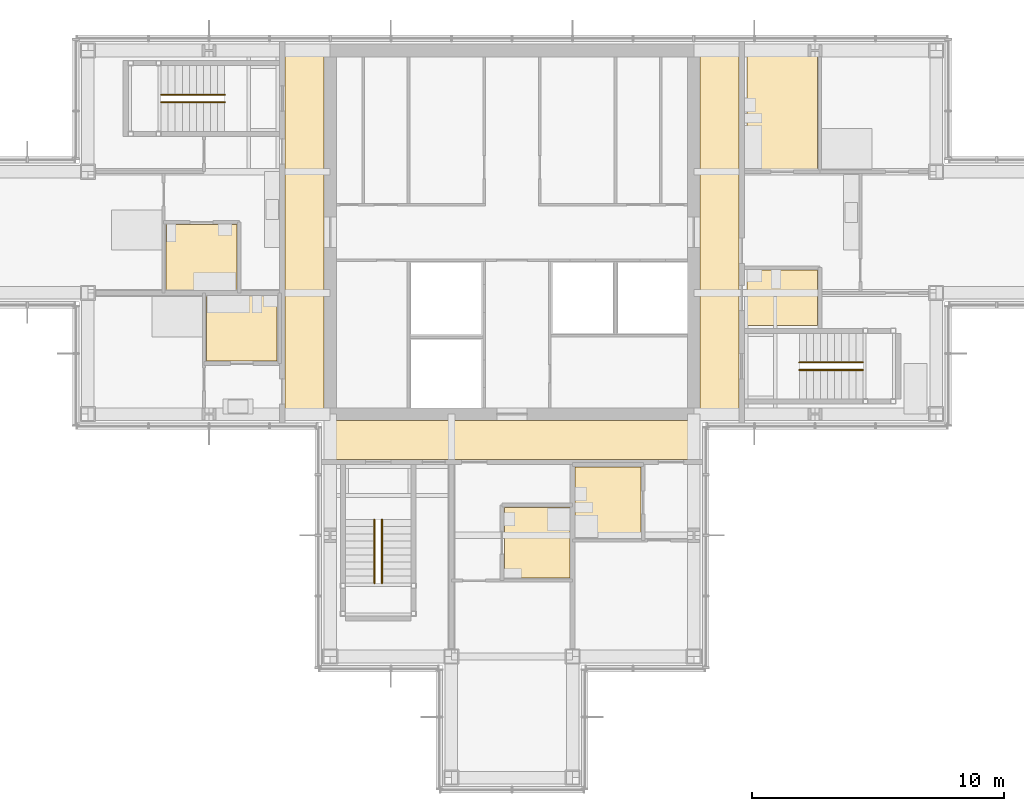
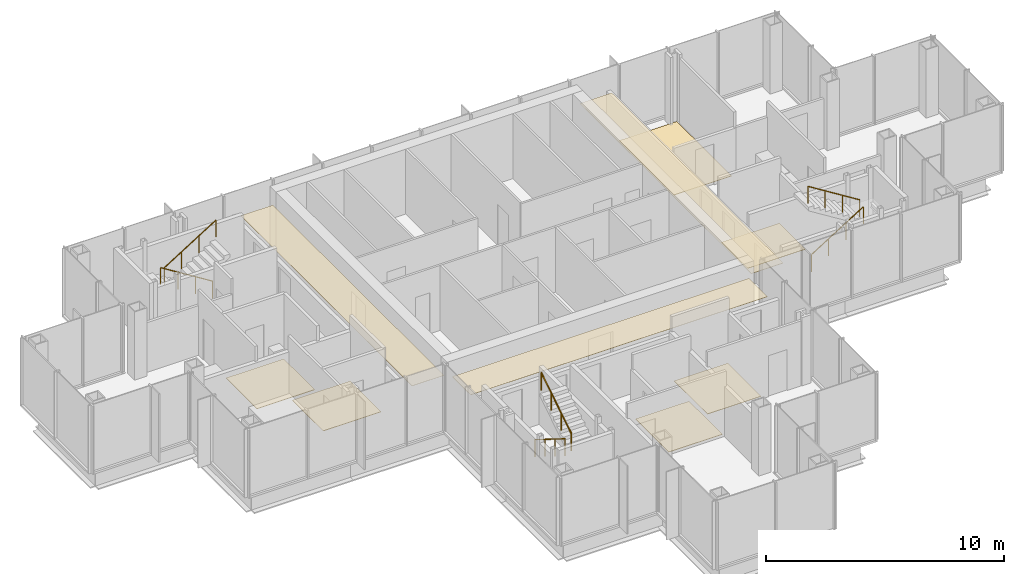
# One storey, part 13 of 15: 9 coverings, 6 railings.
"""IFC4 building model written with IfcOpenShell, lengths in metres."""

from ifc_helpers import new_model, si_unit, direction, frame, origin, origin_2d, place, context, subcontext, project, spatial, polyline, circle, outline, extrude, material, layer, layer_set, type_object, element, save


model = new_model("IFC4")

# Units and contexts
model_context = context("Model", 3, precision=1e-05, world=origin(), true_north=direction((0.0, 1.0)))
body_context = subcontext(model_context, "Body", "Model", "MODEL_VIEW")
ifc_project = project(units=[si_unit("LENGTHUNIT", "METRE"), si_unit("AREAUNIT", "SQUARE_METRE"), si_unit("VOLUMEUNIT", "CUBIC_METRE"), si_unit("PLANEANGLEUNIT", "RADIAN"), si_unit("MASSUNIT", "GRAM", prefix="KILO")], contexts=[model_context])

# Site, building, storey
site_placement = place(None, origin())
site = spatial("IfcSite", under=ifc_project, at=site_placement, CompositionType="ELEMENT")
building_placement = place(site_placement, origin())
building = spatial("IfcBuilding", under=site, at=building_placement, Name="Kvirike Care Tower", CompositionType="ELEMENT")
storey_placement = place(building_placement, frame((0.0, 0.0, 205.0)))
storey = spatial("IfcBuildingStorey", under=building, at=storey_placement, Name="L56", CompositionType="ELEMENT", Elevation=205.0)

# Coverings
ifc_material_1 = material(Name="Perforated metal ceiling tile", Category="aluminium")
ifc_layer_1 = layer(ifc_material_1, 0.014892578125)
ifc_layer_set_1 = layer_set([ifc_layer_1], Name="CORRIDOR CEILING 15")
covering_type_1 = type_object("IfcCoveringType", Name="CORRIDOR CEILING 15", PredefinedType="CEILING", material=ifc_layer_set_1)
covering_1_placement = place(storey_placement, frame((0.0, 0.0, 2.5)))
element("IfcCovering", 1, at=covering_1_placement, inside=storey, type_object=covering_type_1, Name="Corridor ceiling L56", PredefinedType="CEILING", context=body_context, shape_type="SweptSolid", body=[
    extrude(outline(polyline([(12.60009765625, 43.199951171875), (14.14990234375, 43.199951171875), (14.14990234375, 28.800048828125), (12.60009765625, 28.800048828125), (12.60009765625, 43.199951171875)])), origin(), (0.0, 0.0, 1.0), 0.014892578125),
])
covering_2_placement = place(storey_placement, frame((0.0, 0.0, 2.5)))
element("IfcCovering", 2, at=covering_2_placement, inside=storey, type_object=covering_type_1, Name="Corridor ceiling L56", PredefinedType="CEILING", context=body_context, shape_type="SweptSolid", body=[
    extrude(outline(polyline([(14.39990234375, 27.0), (14.39990234375, 28.550048828125), (28.800048828125, 28.550048828125), (28.800048828125, 27.0), (14.39990234375, 27.0)])), origin(), (0.0, 0.0, 1.0), 0.014892578125),
])
covering_3_placement = place(storey_placement, frame((0.0, 0.0, 2.5)))
element("IfcCovering", 3, at=covering_3_placement, inside=storey, type_object=covering_type_1, Name="Corridor ceiling L56", PredefinedType="CEILING", context=body_context, shape_type="SweptSolid", body=[
    extrude(outline(polyline([(30.60009765625, 28.800048828125), (29.050048828125, 28.800048828125), (29.050048828125, 43.199951171875), (30.60009765625, 43.199951171875), (30.60009765625, 28.800048828125)])), origin(), (0.0, 0.0, 1.0), 0.014892578125),
])

# Railings
ifc_material_2 = material(Name="Stainless steel handrail", Category="steel")
railing_type = type_object("IfcRailingType", Name="STAIR HANDRAIL 900", PredefinedType="HANDRAIL", material=ifc_material_2)
railing_1_placement = place(storey_placement, frame((10.219970703125, 41.449951171875, 0.175048828125)))
element("IfcRailing", 4, at=railing_1_placement, inside=storey, type_object=railing_type, Name="Stair 1 handrail L56 flight 1", PredefinedType="HANDRAIL", context=body_context, shape_type="SweptSolid", body=[
    extrude(circle(Radius=0.02490234375, at=origin_2d()), frame((0.0, 0.0, 0.875), z_axis=(-0.848007534815, 0.0, 0.529984170421), x_axis=(0.0, -1.0, 0.0)), (0.0, 0.0, 1.0), 2.9716796875),
    extrude(circle(Radius=0.02001953125, at=origin_2d()), origin(), (0.0, 0.0, 1.0), 0.849853515625),
    extrude(circle(Radius=0.02001953125, at=origin_2d()), frame((-0.840087890625, 0.0, 0.52490234375)), (0.0, 0.0, 1.0), 0.849853515625),
    extrude(circle(Radius=0.02001953125, at=origin_2d()), frame((-1.679931640625, 0.0, 1.050048828125)), (0.0, 0.0, 1.0), 0.849853515625),
    extrude(circle(Radius=0.02001953125, at=origin_2d()), frame((-2.52001953125, 0.0, 1.574951171875)), (0.0, 0.0, 1.0), 0.849853515625),
])
for number, where, name in (
    (5, (7.699951171875, 41.14990234375, 1.925048828125), "Stair 1 handrail L56 flight 2"),
    (6, (32.97998046875, 30.550048828125, 0.175048828125), "Stair 2 handrail L56 flight 1"),
):
    element("IfcRailing", number, at=place(storey_placement, frame(where)), inside=storey, type_object=railing_type, Name=name, PredefinedType="HANDRAIL", context=body_context, shape_type="SweptSolid", body=[
        extrude(circle(Radius=0.02490234375, at=origin_2d()), frame((0.0, 0.0, 0.875), z_axis=(0.848007534815, 0.0, 0.529984170421), x_axis=(0.0, 1.0, 0.0)), (0.0, 0.0, 1.0), 2.9716796875),
        extrude(circle(Radius=0.02001953125, at=origin_2d()), origin(), (0.0, 0.0, 1.0), 0.849853515625),
        extrude(circle(Radius=0.02001953125, at=origin_2d()), frame((0.840087890625, 0.0, 0.52490234375)), (0.0, 0.0, 1.0), 0.849853515625),
        extrude(circle(Radius=0.02001953125, at=origin_2d()), frame((1.679931640625, 0.0, 1.050048828125)), (0.0, 0.0, 1.0), 0.849853515625),
        extrude(circle(Radius=0.02001953125, at=origin_2d()), frame((2.52001953125, 0.0, 1.574951171875)), (0.0, 0.0, 1.0), 0.849853515625),
    ])
railing_2_placement = place(storey_placement, frame((35.5, 30.85009765625, 1.925048828125)))
element("IfcRailing", 7, at=railing_2_placement, inside=storey, type_object=railing_type, Name="Stair 2 handrail L56 flight 2", PredefinedType="HANDRAIL", context=body_context, shape_type="SweptSolid", body=[
    extrude(circle(Radius=0.02490234375, at=origin_2d()), frame((0.0, 0.0, 0.875), z_axis=(-0.848007534815, 0.0, 0.529984170421), x_axis=(0.0, -1.0, 0.0)), (0.0, 0.0, 1.0), 2.9716796875),
    extrude(circle(Radius=0.02001953125, at=origin_2d()), origin(), (0.0, 0.0, 1.0), 0.849853515625),
    extrude(circle(Radius=0.02001953125, at=origin_2d()), frame((-0.840087890625, 0.0, 0.52490234375)), (0.0, 0.0, 1.0), 0.849853515625),
    extrude(circle(Radius=0.02001953125, at=origin_2d()), frame((-1.679931640625, 0.0, 1.050048828125)), (0.0, 0.0, 1.0), 0.849853515625),
    extrude(circle(Radius=0.02001953125, at=origin_2d()), frame((-2.52001953125, 0.0, 1.574951171875)), (0.0, 0.0, 1.0), 0.849853515625),
])
railing_3_placement = place(storey_placement, frame((16.14990234375, 24.6201171875, 0.175048828125)))
element("IfcRailing", 8, at=railing_3_placement, inside=storey, type_object=railing_type, Name="Stair 5 handrail L56 flight 1", PredefinedType="HANDRAIL", context=body_context, shape_type="SweptSolid", body=[
    extrude(circle(Radius=0.02490234375, at=origin_2d()), frame((0.0, 0.0, 0.875), z_axis=(0.0, -0.848007534815, 0.529984170421), x_axis=(1.0, 0.0, 0.0)), (0.0, 0.0, 1.0), 2.9716796875),
    extrude(circle(Radius=0.02001953125, at=origin_2d()), origin(), (0.0, 0.0, 1.0), 0.849853515625),
    extrude(circle(Radius=0.02001953125, at=origin_2d()), frame((0.0, -0.840087890625, 0.52490234375)), (0.0, 0.0, 1.0), 0.849853515625),
    extrude(circle(Radius=0.02001953125, at=origin_2d()), frame((0.0, -1.679931640625, 1.050048828125)), (0.0, 0.0, 1.0), 0.849853515625),
    extrude(circle(Radius=0.02001953125, at=origin_2d()), frame((0.0, -2.52001953125, 1.574951171875)), (0.0, 0.0, 1.0), 0.849853515625),
])
railing_4_placement = place(storey_placement, frame((16.449951171875, 22.10009765625, 1.925048828125)))
element("IfcRailing", 9, at=railing_4_placement, inside=storey, type_object=railing_type, Name="Stair 5 handrail L56 flight 2", PredefinedType="HANDRAIL", context=body_context, shape_type="SweptSolid", body=[
    extrude(circle(Radius=0.02490234375, at=origin_2d()), frame((0.0, 0.0, 0.875), z_axis=(0.0, 0.848007534815, 0.529984170421), x_axis=(-1.0, 0.0, 0.0)), (0.0, 0.0, 1.0), 2.9716796875),
    extrude(circle(Radius=0.02001953125, at=origin_2d()), origin(), (0.0, 0.0, 1.0), 0.849853515625),
    extrude(circle(Radius=0.02001953125, at=origin_2d()), frame((0.0, 0.840087890625, 0.52490234375)), (0.0, 0.0, 1.0), 0.849853515625),
    extrude(circle(Radius=0.02001953125, at=origin_2d()), frame((0.0, 1.679931640625, 1.050048828125)), (0.0, 0.0, 1.0), 0.849853515625),
    extrude(circle(Radius=0.02001953125, at=origin_2d()), frame((0.0, 2.52001953125, 1.574951171875)), (0.0, 0.0, 1.0), 0.849853515625),
])

# Coverings
ifc_material_3 = material(Name="Slip-resistant vinyl safety flooring on screed")
ifc_layer_2 = layer(ifc_material_3, 0.02001953125)
ifc_layer_set_2 = layer_set([ifc_layer_2], Name="WET ROOM FLOOR 20")
covering_type_2 = type_object("IfcCoveringType", Name="WET ROOM FLOOR 20", PredefinedType="FLOORING", material=ifc_layer_set_2)
covering_4_placement = place(storey_placement, origin())
element("IfcCovering", 10, at=covering_4_placement, inside=storey, type_object=covering_type_2, Name="Bathroom floor L56-005", PredefinedType="FLOORING", context=body_context, shape_type="SweptSolid", body=[
    extrude(outline(polyline([(7.89990234375, 36.300048828125), (10.699951171875, 36.300048828125), (10.699951171875, 33.699951171875), (7.89990234375, 33.699951171875), (7.89990234375, 36.300048828125)])), origin(), (0.0, 0.0, 1.0), 0.02001953125),
])
covering_5_placement = place(storey_placement, origin())
element("IfcCovering", 11, at=covering_5_placement, inside=storey, type_object=covering_type_2, Name="Bathroom floor L56-008", PredefinedType="FLOORING", context=body_context, shape_type="SweptSolid", body=[
    extrude(outline(polyline([(9.5, 33.5), (12.300048828125, 33.5), (12.300048828125, 30.89990234375), (9.5, 30.89990234375), (9.5, 33.5)])), origin(), (0.0, 0.0, 1.0), 0.02001953125),
])
covering_6_placement = place(storey_placement, origin())
element("IfcCovering", 12, at=covering_6_placement, inside=storey, type_object=covering_type_2, Name="Shower room floor L56-014", PredefinedType="FLOORING", context=body_context, shape_type="SweptSolid", body=[
    extrude(outline(polyline([(21.300048828125, 22.300048828125), (21.300048828125, 25.10009765625), (23.89990234375, 25.10009765625), (23.89990234375, 22.300048828125), (21.300048828125, 22.300048828125)])), origin(), (0.0, 0.0, 1.0), 0.02001953125),
])
covering_7_placement = place(storey_placement, origin())
element("IfcCovering", 13, at=covering_7_placement, inside=storey, type_object=covering_type_2, Name="Shower room floor L56-017", PredefinedType="FLOORING", context=body_context, shape_type="SweptSolid", body=[
    extrude(outline(polyline([(24.10009765625, 23.89990234375), (24.10009765625, 26.699951171875), (26.699951171875, 26.699951171875), (26.699951171875, 23.89990234375), (24.10009765625, 23.89990234375)])), origin(), (0.0, 0.0, 1.0), 0.02001953125),
])
covering_8_placement = place(storey_placement, origin())
element("IfcCovering", 14, at=covering_8_placement, inside=storey, type_object=covering_type_2, Name="Accessible WC floor L56-024", PredefinedType="FLOORING", context=body_context, shape_type="SweptSolid", body=[
    extrude(outline(polyline([(33.699951171875, 32.300048828125), (30.89990234375, 32.300048828125), (30.89990234375, 34.5), (33.699951171875, 34.5), (33.699951171875, 32.300048828125)])), origin(), (0.0, 0.0, 1.0), 0.02001953125),
])
covering_9_placement = place(storey_placement, origin())
element("IfcCovering", 15, at=covering_9_placement, inside=storey, type_object=covering_type_2, Name="Bathroom floor L56-025", PredefinedType="FLOORING", context=body_context, shape_type="SweptSolid", body=[
    extrude(outline(polyline([(33.699951171875, 38.5), (30.89990234375, 38.5), (30.89990234375, 43.10009765625), (33.699951171875, 43.10009765625), (33.699951171875, 38.5)])), origin(), (0.0, 0.0, 1.0), 0.02001953125),
])

save(model, "model.ifc")
